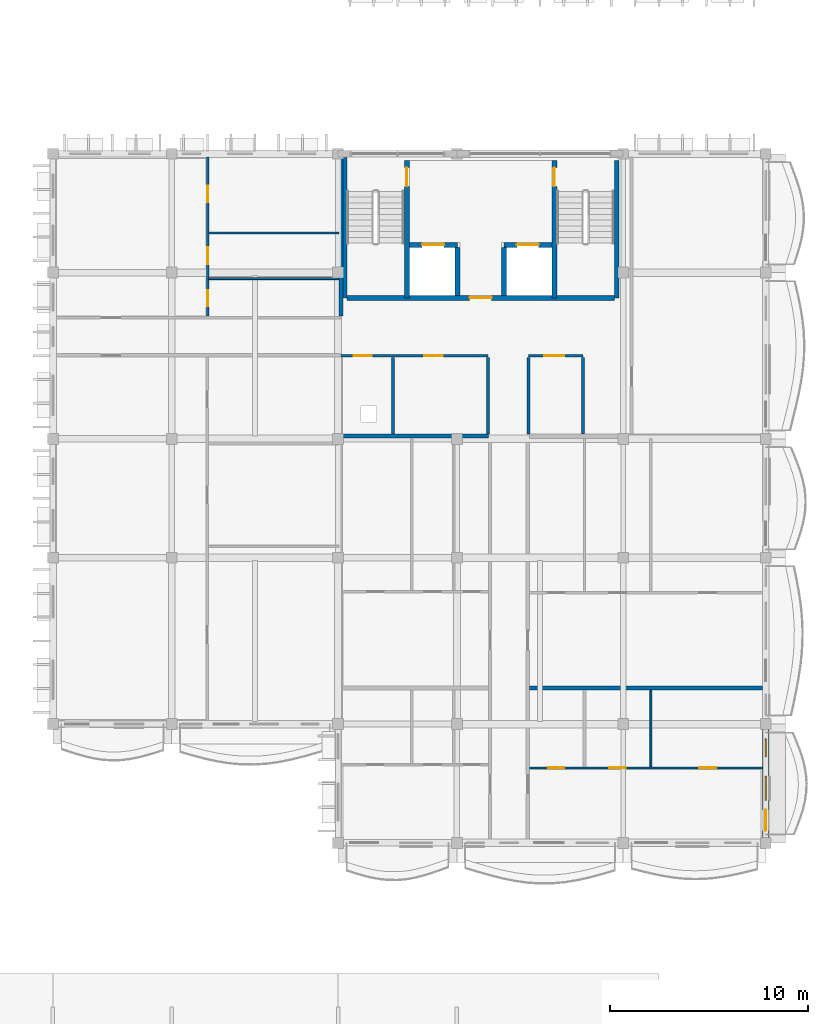
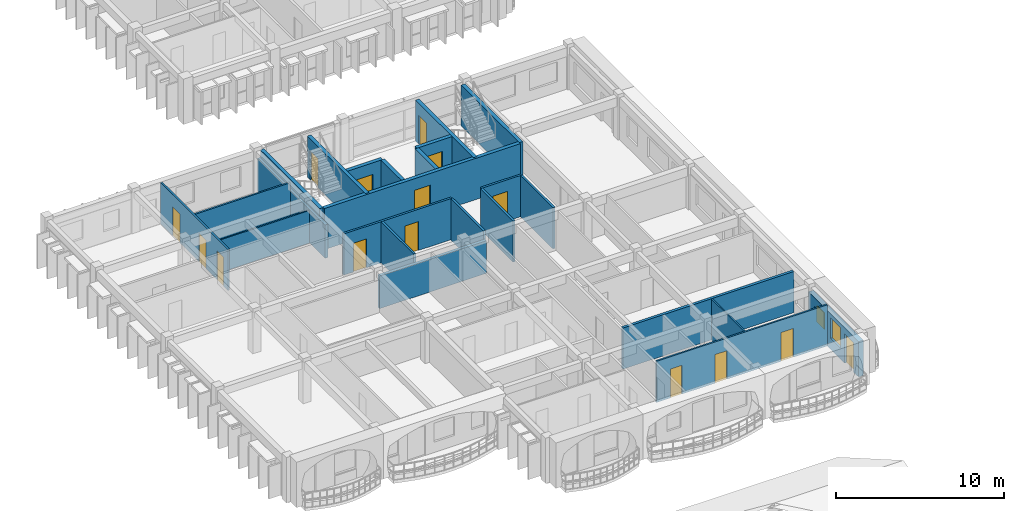
# One storey, part 60 of 101: 24 walls, 15 doors, 2 windows, 17 openings.
"""IFC4 building model written with IfcOpenShell, lengths in metres."""

from ifc_helpers import new_model, si_unit, direction, frame, frame_2d, origin, place, context, subcontext, project, spatial, rectangle, extrude, material, layer, layer_set, type_object, element, fill, save


model = new_model("IFC4")

# Units and contexts
model_context = context("Model", 3, precision=1e-05, world=origin(), true_north=direction((0.0, 1.0)))
body_context = subcontext(model_context, "Body", "Model", "MODEL_VIEW")
ifc_project = project(units=[si_unit("LENGTHUNIT", "METRE"), si_unit("AREAUNIT", "SQUARE_METRE"), si_unit("VOLUMEUNIT", "CUBIC_METRE"), si_unit("PLANEANGLEUNIT", "RADIAN"), si_unit("MASSUNIT", "GRAM", prefix="KILO"), si_unit("THERMODYNAMICTEMPERATUREUNIT", "KELVIN")], contexts=[model_context])

# Site, building, storey
site_placement = place(None, origin())
site = spatial("IfcSite", under=ifc_project, at=site_placement, CompositionType="ELEMENT")
building_placement = place(site_placement, origin())
building = spatial("IfcBuilding", under=site, at=building_placement, Name="Thalorik Housing Commons", CompositionType="ELEMENT")
storey_placement = place(building_placement, frame((0.0, 0.0, 8.10009765625)))
storey = spatial("IfcBuildingStorey", under=building, at=storey_placement, Name="L02", CompositionType="ELEMENT", Elevation=8.10009765625)

# Wall, opening, door
ifc_material_1 = material(Name="Concrete C40/50", Category="concrete")
ifc_layer_1 = layer(ifc_material_1, 0.25, Name="Concrete C40/50", Category="concrete")
ifc_layer_set_1 = layer_set([ifc_layer_1], Name="Concrete C40/50")
wall_type_1 = type_object("IfcWallType", Name="ARC-WAL-CORE-250", PredefinedType="SHEAR", material=ifc_layer_set_1)
wall_1_placement = place(storey_placement, frame((155.875, 71.64990234375, 0.0), z_axis=(0.0, 0.0, 1.0), x_axis=(0.0, -1.0, 0.0)))
wall_1 = element("IfcWall", 1, at=wall_1_placement, inside=storey, type_object=wall_type_1, Name="L02 Core D Stair 1 Shear Wall", PredefinedType="SHEAR", context=body_context, shape_type="SweptSolid", body=[
    extrude(rectangle(XDim=6.9248046875, YDim=0.25, at=frame_2d((3.46240234375, 0.0))), origin(), (0.0, 0.0, 1.0), 3.0),
])
opening_1_placement = place(wall_1_placement, frame((0.35009765625, 0.0, 0.0)))
opening_1 = element("IfcOpeningElement", 2, at=opening_1_placement, cuts=wall_1, Name="Opening ID-0369", PredefinedType="OPENING", context=body_context, shape_type="SweptSolid", body=[
    extrude(rectangle(XDim=0.949951171875, YDim=2.10009765625, at=frame_2d((0.47509765625, 1.050048828125))), frame((0.0, 0.135009765625, 0.0), z_axis=(0.0, -1.0, 0.0), x_axis=(1.0, 0.0, 0.0)), (0.0, 0.0, 1.0), 0.27001953125),
])
ifc_material_2 = material(Name="Steel S355", Category="steel")
door_type_1 = type_object("IfcDoorType", Name="ARC-DR-FD60-950", OperationType="NOTDEFINED", PredefinedType="DOOR", material=ifc_material_2)
door_1_placement = place(opening_1_placement, origin())
door_1 = element("IfcDoor", 3, at=door_1_placement, inside=storey, type_object=door_type_1, Name="L02 Stair ST-D1 Fire Door", OperationType="SINGLE_SWING_RIGHT", OverallHeight=2.10009765625, OverallWidth=0.949951171875, PredefinedType="DOOR", context=body_context, shape_type="SweptSolid", body=[
    extrude(rectangle(XDim=0.949951171875, YDim=2.10009765625, at=frame_2d((0.47509765625, 1.050048828125))), frame((0.0, 0.02490234375, 0.0), z_axis=(0.0, -1.0, 0.0), x_axis=(1.0, 0.0, 0.0)), (0.0, 0.0, 1.0), 0.050048828125),
])
fill(opening_1, door_1)

# Walls
wall_2_placement = place(storey_placement, frame((152.72509765625, 71.800048828125, 0.0), z_axis=(0.0, 0.0, 1.0), x_axis=(0.0, -1.0, 0.0)))
element("IfcWall", 4, at=wall_2_placement, inside=storey, type_object=wall_type_1, Name="L02 Core D Stair 1 Outer Shear Wall", PredefinedType="SHEAR", context=body_context, shape_type="SweptSolid", body=[
    extrude(rectangle(XDim=7.074951171875, YDim=0.25, at=frame_2d((3.53759765625, 0.0))), origin(), (0.0, 0.0, 1.0), 3.0),
])
wall_3_placement = place(storey_placement, frame((166.47509765625, 71.64990234375, 0.0), z_axis=(0.0, 0.0, 1.0), x_axis=(0.0, -1.0, 0.0)))
element("IfcWall", 5, at=wall_3_placement, inside=storey, type_object=wall_type_1, Name="L02 Core D Stair 2 Outer Shear Wall", PredefinedType="SHEAR", context=body_context, shape_type="SweptSolid", body=[
    extrude(rectangle(XDim=6.9248046875, YDim=0.25, at=frame_2d((3.46240234375, 0.0))), origin(), (0.0, 0.0, 1.0), 3.0),
])

# Wall, opening, door
wall_4_placement = place(storey_placement, frame((163.324951171875, 71.64990234375, 0.0), z_axis=(0.0, 0.0, 1.0), x_axis=(0.0, -1.0, 0.0)))
wall_4 = element("IfcWall", 6, at=wall_4_placement, inside=storey, type_object=wall_type_1, Name="L02 Core D Stair 2 Shear Wall", PredefinedType="SHEAR", context=body_context, shape_type="SweptSolid", body=[
    extrude(rectangle(XDim=6.9248046875, YDim=0.25, at=frame_2d((3.46240234375, 0.0))), origin(), (0.0, 0.0, 1.0), 3.0),
])
opening_2_placement = place(wall_4_placement, frame((0.35009765625, 0.0, 0.0)))
opening_2 = element("IfcOpeningElement", 7, at=opening_2_placement, cuts=wall_4, Name="Opening ID-0370", PredefinedType="OPENING", context=body_context, shape_type="SweptSolid", body=[
    extrude(rectangle(XDim=0.949951171875, YDim=2.10009765625, at=frame_2d((0.47509765625, 1.050048828125))), frame((0.0, 0.135009765625, 0.0), z_axis=(0.0, -1.0, 0.0), x_axis=(1.0, 0.0, 0.0)), (0.0, 0.0, 1.0), 0.27001953125),
])
door_2_placement = place(opening_2_placement, origin())
door_2 = element("IfcDoor", 8, at=door_2_placement, inside=storey, type_object=door_type_1, Name="L02 Stair ST-D2 Fire Door", OperationType="SINGLE_SWING_LEFT", OverallHeight=2.10009765625, OverallWidth=0.949951171875, PredefinedType="DOOR", context=body_context, shape_type="SweptSolid", body=[
    extrude(rectangle(XDim=0.949951171875, YDim=2.10009765625, at=frame_2d((0.47509765625, 1.050048828125))), frame((0.0, 0.02490234375, 0.0), z_axis=(0.0, -1.0, 0.0), x_axis=(1.0, 0.0, 0.0)), (0.0, 0.0, 1.0), 0.050048828125),
])
fill(opening_2, door_2)

wall_5_placement = place(storey_placement, frame((156.0, 67.39990234375, 0.0), z_axis=(0.0, 0.0, 1.0), x_axis=(1.0, 0.0, 0.0)))
wall_5 = element("IfcWall", 9, at=wall_5_placement, inside=storey, type_object=wall_type_1, Name="L02 Lift LP-D1 Front Shaft Wall", PredefinedType="SHEAR", context=body_context, shape_type="SweptSolid", body=[
    extrude(rectangle(XDim=2.425048828125, YDim=0.25, at=frame_2d((1.21240234375, 0.0))), origin(), (0.0, 0.0, 1.0), 3.0),
])
opening_3_placement = place(wall_5_placement, frame((0.64990234375, 0.0, 0.0)))
opening_3 = element("IfcOpeningElement", 10, at=opening_3_placement, cuts=wall_5, Name="Opening LD-LP-D1-L02", PredefinedType="OPENING", context=body_context, shape_type="SweptSolid", body=[
    extrude(rectangle(XDim=1.10009765625, YDim=2.14990234375, at=frame_2d((0.550048828125, 1.074951171875))), frame((0.0, 0.135009765625, 0.0), z_axis=(0.0, -1.0, 0.0), x_axis=(1.0, 0.0, 0.0)), (0.0, 0.0, 1.0), 0.27001953125),
])
door_type_2 = type_object("IfcDoorType", Name="ARC-DR-LIFT-1100", OperationType="NOTDEFINED", PredefinedType="DOOR", material=ifc_material_2)
door_3_placement = place(opening_3_placement, origin())
door_3 = element("IfcDoor", 11, at=door_3_placement, inside=storey, type_object=door_type_2, Name="L02 Lift LP-D1 Landing Door", OperationType="SLIDING_TO_LEFT", OverallHeight=2.14990234375, OverallWidth=1.10009765625, PredefinedType="DOOR", context=body_context, shape_type="SweptSolid", body=[
    extrude(rectangle(XDim=1.10009765625, YDim=2.14990234375, at=frame_2d((0.550048828125, 1.074951171875))), frame((0.0, 0.02490234375, 0.0), z_axis=(0.0, -1.0, 0.0), x_axis=(1.0, 0.0, 0.0)), (0.0, 0.0, 1.0), 0.050048828125),
])
fill(opening_3, door_3)

wall_6_placement = place(storey_placement, frame((160.77490234375, 67.39990234375, 0.0), z_axis=(0.0, 0.0, 1.0), x_axis=(1.0, 0.0, 0.0)))
wall_6 = element("IfcWall", 12, at=wall_6_placement, inside=storey, type_object=wall_type_1, Name="L02 Lift LP-D2 Front Shaft Wall", PredefinedType="SHEAR", context=body_context, shape_type="SweptSolid", body=[
    extrude(rectangle(XDim=2.425048828125, YDim=0.25, at=frame_2d((1.21240234375, 0.0))), origin(), (0.0, 0.0, 1.0), 3.0),
])
opening_4_placement = place(wall_6_placement, frame((0.64990234375, 0.0, 0.0)))
opening_4 = element("IfcOpeningElement", 13, at=opening_4_placement, cuts=wall_6, Name="Opening LD-LP-D2-L02", PredefinedType="OPENING", context=body_context, shape_type="SweptSolid", body=[
    extrude(rectangle(XDim=1.10009765625, YDim=2.14990234375, at=frame_2d((0.550048828125, 1.074951171875))), frame((0.0, 0.135009765625, 0.0), z_axis=(0.0, -1.0, 0.0), x_axis=(1.0, 0.0, 0.0)), (0.0, 0.0, 1.0), 0.27001953125),
])
door_4_placement = place(opening_4_placement, origin())
door_4 = element("IfcDoor", 14, at=door_4_placement, inside=storey, type_object=door_type_2, Name="L02 Lift LP-D2 Landing Door", OperationType="SLIDING_TO_LEFT", OverallHeight=2.14990234375, OverallWidth=1.10009765625, PredefinedType="DOOR", context=body_context, shape_type="SweptSolid", body=[
    extrude(rectangle(XDim=1.10009765625, YDim=2.14990234375, at=frame_2d((0.550048828125, 1.074951171875))), frame((0.0, 0.02490234375, 0.0), z_axis=(0.0, -1.0, 0.0), x_axis=(1.0, 0.0, 0.0)), (0.0, 0.0, 1.0), 0.050048828125),
])
fill(opening_4, door_4)

# Walls
for number, where, z_axis, x_axis, name in (
    (15, (158.425048828125, 67.27490234375, 0.0), (0.0, 0.0, 1.0), (0.0, -1.0, 0.0), "L02 Lift 1 Cheek Wall"),
    (16, (160.77490234375, 67.27490234375, 0.0), (0.0, 0.0, 1.0), (0.0, -1.0, 0.0), "L02 Lift 2 Cheek Wall"),
):
    element("IfcWall", number, at=place(storey_placement, frame(where, z_axis=z_axis, x_axis=x_axis)), inside=storey, type_object=wall_type_1, Name=name, PredefinedType="SHEAR", context=body_context, shape_type="SweptSolid", body=[
        extrude(rectangle(XDim=2.4248046875, YDim=0.25, at=frame_2d((1.21240234375, 0.0))), origin(), (0.0, 0.0, 1.0), 3.0),
    ])

# Wall, opening, door
wall_7_placement = place(storey_placement, frame((152.85009765625, 64.72509765625, 0.0), z_axis=(0.0, 0.0, 1.0), x_axis=(1.0, 0.0, 0.0)))
wall_7 = element("IfcWall", 17, at=wall_7_placement, inside=storey, type_object=wall_type_1, Name="L02 Core D Spine Shear Wall", PredefinedType="SHEAR", context=body_context, shape_type="SweptSolid", body=[
    extrude(rectangle(XDim=13.5, YDim=0.25, at=frame_2d((6.75, 0.0))), origin(), (0.0, 0.0, 1.0), 3.0),
])
opening_5_placement = place(wall_7_placement, frame((6.199951171875, 0.0, 0.0)))
opening_5 = element("IfcOpeningElement", 18, at=opening_5_placement, cuts=wall_7, Name="Opening ID-0373", PredefinedType="OPENING", context=body_context, shape_type="SweptSolid", body=[
    extrude(rectangle(XDim=1.10009765625, YDim=2.14990234375, at=frame_2d((0.550048828125, 1.074951171875))), frame((0.0, 0.135009765625, 0.0), z_axis=(0.0, -1.0, 0.0), x_axis=(1.0, 0.0, 0.0)), (0.0, 0.0, 1.0), 0.27001953125),
])
door_type_3 = type_object("IfcDoorType", Name="ARC-DR-FD60-1100", OperationType="NOTDEFINED", PredefinedType="DOOR", material=ifc_material_2)
door_5_placement = place(opening_5_placement, origin())
door_5 = element("IfcDoor", 19, at=door_5_placement, inside=storey, type_object=door_type_3, Name="L02 Core D Lobby Fire Door", OperationType="SINGLE_SWING_RIGHT", OverallHeight=2.14990234375, OverallWidth=1.10009765625, PredefinedType="DOOR", context=body_context, shape_type="SweptSolid", body=[
    extrude(rectangle(XDim=1.10009765625, YDim=2.14990234375, at=frame_2d((0.550048828125, 1.074951171875))), frame((0.0, 0.02490234375, 0.0), z_axis=(0.0, -1.0, 0.0), x_axis=(1.0, 0.0, 0.0)), (0.0, 0.0, 1.0), 0.050048828125),
])
fill(opening_5, door_5)

# Wall, openings, door, windows
ifc_material_3 = material(Name="White precast concrete C40/50", Category="concrete")
ifc_layer_2 = layer(ifc_material_3, 0.3349609375, Name="White precast concrete C40/50", Category="concrete")
ifc_layer_set_2 = layer_set([ifc_layer_2], Name="White precast concrete C40/50")
wall_type_2 = type_object("IfcWallType", Name="ARC-WAL-EXT-335", PredefinedType="STANDARD", material=ifc_layer_set_2)
wall_8_placement = place(storey_placement, frame((174.0, 37.199951171875, 0.0), z_axis=(0.0, 0.0, 1.0), x_axis=(0.0, 1.0, 0.0)))
wall_8 = element("IfcWall", 20, at=wall_8_placement, inside=storey, type_object=wall_type_2, Name="L02 Exterior Wall WAL-EXT-L02-D-1157", PredefinedType="STANDARD", context=body_context, shape_type="SweptSolid", body=[
    extrude(rectangle(XDim=6.0, YDim=0.3349609375, at=frame_2d((3.0, 0.0))), origin(), (0.0, 0.0, 1.0), 2.574951171875),
])
opening_6_placement = place(wall_8_placement, frame((0.6201171875, 0.0, 0.0)))
opening_6 = element("IfcOpeningElement", 21, at=opening_6_placement, cuts=wall_8, Name="Opening ED-0381", PredefinedType="OPENING", context=body_context, shape_type="SweptSolid", body=[
    extrude(rectangle(XDim=1.050048828125, YDim=2.14990234375, at=frame_2d((0.52490234375, 1.074951171875))), frame((0.0, 0.177490234375, 0.0), z_axis=(0.0, -1.0, 0.0), x_axis=(1.0, 0.0, 0.0)), (0.0, 0.0, 1.0), 0.35498046875),
])
opening_7_placement = place(wall_8_placement, frame((2.15234375, 0.0, 0.780029296875)))
opening_7 = element("IfcOpeningElement", 22, at=opening_7_placement, cuts=wall_8, Name="Opening W-05", PredefinedType="OPENING", context=body_context, shape_type="SweptSolid", body=[
    extrude(rectangle(XDim=1.199951171875, YDim=1.5, at=frame_2d((0.60009765625, 0.75))), frame((0.0, 0.177490234375, 0.0), z_axis=(0.0, -1.0, 0.0), x_axis=(1.0, 0.0, 0.0)), (0.0, 0.0, 1.0), 0.35498046875),
])
opening_8_placement = place(wall_8_placement, frame((4.347412109375, 0.0, 0.780029296875)))
opening_8 = element("IfcOpeningElement", 23, at=opening_8_placement, cuts=wall_8, Name="Opening W-01", PredefinedType="OPENING", context=body_context, shape_type="SweptSolid", body=[
    extrude(rectangle(XDim=0.89990234375, YDim=1.199951171875, at=frame_2d((0.449951171875, 0.60009765625))), frame((0.0, 0.177490234375, 0.0), z_axis=(0.0, -1.0, 0.0), x_axis=(1.0, 0.0, 0.0)), (0.0, 0.0, 1.0), 0.35498046875),
])
ifc_material_4 = material(Name="Anodised aluminium and laminated safety glass", Category="aluminium")
door_type_4 = type_object("IfcDoorType", Name="ARC-DR-BAL-1050", OperationType="NOTDEFINED", PredefinedType="DOOR", material=ifc_material_4)
door_6_placement = place(opening_6_placement, frame((1.050048828125, 0.0, 0.0), z_axis=(0.0, 0.0, 1.0), x_axis=(-1.0, 0.0, 0.0)))
door_6 = element("IfcDoor", 24, at=door_6_placement, inside=storey, type_object=door_type_4, Name="L02 Block D Balcony Glazed Door", OperationType="SINGLE_SWING_RIGHT", OverallHeight=2.14990234375, OverallWidth=1.050048828125, PredefinedType="DOOR", context=body_context, shape_type="SweptSolid", body=[
    extrude(rectangle(XDim=1.050048828125, YDim=2.14990234375, at=frame_2d((0.52490234375, 1.074951171875))), frame((0.0, 0.02490234375, 0.0), z_axis=(0.0, -1.0, 0.0), x_axis=(1.0, 0.0, 0.0)), (0.0, 0.0, 1.0), 0.050048828125),
])
fill(opening_6, door_6)
ifc_material_5 = material(Name="Anodised aluminium and solar-control low-E glass", Category="aluminium")
window_type_1 = type_object("IfcWindowType", Name="ARC-WIN-01", PartitioningType="SINGLE_PANEL", PredefinedType="WINDOW", material=ifc_material_5)
window_1_placement = place(opening_8_placement, origin())
window_1 = element("IfcWindow", 25, at=window_1_placement, inside=storey, type_object=window_type_1, Name="L02 Facade Window 2123", OverallHeight=1.199951171875, OverallWidth=0.89990234375, PartitioningType="SINGLE_PANEL", PredefinedType="WINDOW", context=body_context, shape_type="SweptSolid", body=[
    extrude(rectangle(XDim=0.89990234375, YDim=1.199951171875, at=frame_2d((0.449951171875, 0.60009765625))), frame((0.0, 0.030029296875, 0.0), z_axis=(0.0, -1.0, 0.0), x_axis=(1.0, 0.0, 0.0)), (0.0, 0.0, 1.0), 0.06005859375),
])
fill(opening_8, window_1)
window_type_2 = type_object("IfcWindowType", Name="ARC-WIN-05", PartitioningType="SINGLE_PANEL", PredefinedType="WINDOW", material=ifc_material_5)
window_2_placement = place(opening_7_placement, origin())
window_2 = element("IfcWindow", 26, at=window_2_placement, inside=storey, type_object=window_type_2, Name="L02 Facade Window 2122", OverallHeight=1.5, OverallWidth=1.199951171875, PartitioningType="SINGLE_PANEL", PredefinedType="WINDOW", context=body_context, shape_type="SweptSolid", body=[
    extrude(rectangle(XDim=1.199951171875, YDim=1.5, at=frame_2d((0.60009765625, 0.75))), frame((0.0, 0.030029296875, 0.0), z_axis=(0.0, -1.0, 0.0), x_axis=(1.0, 0.0, 0.0)), (0.0, 0.0, 1.0), 0.06005859375),
])
fill(opening_7, window_2)

# Walls
ifc_material_6 = material(Name="Gypsum light stud partition", Category="masonry")
ifc_layer_3 = layer(ifc_material_6, 0.10009765625, Name="Gypsum light stud partition", Category="masonry")
ifc_layer_set_3 = layer_set([ifc_layer_3], Name="Gypsum light stud partition")
wall_type_3 = type_object("IfcWallType", Name="ARC-WAL-PART-100", PredefinedType="PARTITIONING", material=ifc_layer_set_3)
wall_9_placement = place(storey_placement, frame((168.19921875, 41.044189453125, 0.0), z_axis=(0.0, 0.0, 1.0), x_axis=(0.0, 1.0, 0.0)))
element("IfcWall", 27, at=wall_9_placement, inside=storey, type_object=wall_type_3, Name="L02 Unit 1B Bedroom Partition", PredefinedType="PARTITIONING", context=body_context, shape_type="SweptSolid", body=[
    extrude(rectangle(XDim=3.88134765625, YDim=0.10009765625, at=frame_2d((1.940673828125, 0.0))), origin(), (0.0, 0.0, 1.0), 3.0),
])
wall_10_placement = place(storey_placement, frame((145.875, 65.69287109375, 0.0), z_axis=(0.0, 0.0, 1.0), x_axis=(1.0, 0.0, 0.0)))
element("IfcWall", 28, at=wall_10_placement, inside=storey, type_object=wall_type_3, Name="L02 Unit 1B Wet Wall", PredefinedType="PARTITIONING", context=body_context, shape_type="SweptSolid", body=[
    extrude(rectangle(XDim=6.56298828125, YDim=0.10009765625, at=frame_2d((3.281494140625, 0.0))), origin(), (0.0, 0.0, 1.0), 2.375),
])

# Wall, openings, doors
ifc_material_7 = material(Name="Gypsum moisture-resistant partition", Category="masonry")
ifc_layer_4 = layer(ifc_material_7, 0.114990234375, Name="Gypsum moisture-resistant partition", Category="masonry")
ifc_layer_set_4 = layer_set([ifc_layer_4], Name="Gypsum moisture-resistant partition")
wall_type_4 = type_object("IfcWallType", Name="ARC-WAL-PART-115", PredefinedType="PARTITIONING", material=ifc_layer_set_4)
wall_11_placement = place(storey_placement, frame((162.064453125, 40.98486328125, 0.0), z_axis=(0.0, 0.0, 1.0), x_axis=(1.0, 0.0, 0.0)))
wall_11 = element("IfcWall", 29, at=wall_11_placement, inside=storey, type_object=wall_type_4, Name="L02 Unit 1B Spine Partition", PredefinedType="PARTITIONING", context=body_context, shape_type="SweptSolid", body=[
    extrude(rectangle(XDim=11.76611328125, YDim=0.114990234375, at=frame_2d((5.883056640625, 0.0))), origin(), (0.0, 0.0, 1.0), 3.0),
])
opening_9_placement = place(wall_11_placement, frame((0.95068359375, 0.0, 0.0)))
opening_9 = element("IfcOpeningElement", 30, at=opening_9_placement, cuts=wall_11, Name="Opening ID-2003", PredefinedType="OPENING", context=body_context, shape_type="SweptSolid", body=[
    extrude(rectangle(XDim=0.800048828125, YDim=2.10009765625, at=frame_2d((0.39990234375, 1.050048828125))), frame((0.0, 0.0673828125, 0.0), z_axis=(0.0, -1.0, 0.0), x_axis=(1.0, 0.0, 0.0)), (0.0, 0.0, 1.0), 0.135009765625),
])
opening_10_placement = place(wall_11_placement, frame((4.035400390625, 0.0, 0.0)))
opening_10 = element("IfcOpeningElement", 31, at=opening_10_placement, cuts=wall_11, Name="Opening ID-2004", PredefinedType="OPENING", context=body_context, shape_type="SweptSolid", body=[
    extrude(rectangle(XDim=0.820068359375, YDim=2.080078125, at=frame_2d((0.41015625, 1.0400390625))), frame((0.0, 0.0673828125, 0.0), z_axis=(0.0, -1.0, 0.0), x_axis=(1.0, 0.0, 0.0)), (0.0, 0.0, 1.0), 0.135009765625),
])
opening_11_placement = place(wall_11_placement, frame((8.580078125, 0.0, 0.0)))
opening_11 = element("IfcOpeningElement", 32, at=opening_11_placement, cuts=wall_11, Name="Opening ID-2005", PredefinedType="OPENING", context=body_context, shape_type="SweptSolid", body=[
    extrude(rectangle(XDim=0.85009765625, YDim=2.10009765625, at=frame_2d((0.425048828125, 1.050048828125))), frame((0.0, 0.0673828125, 0.0), z_axis=(0.0, -1.0, 0.0), x_axis=(1.0, 0.0, 0.0)), (0.0, 0.0, 1.0), 0.135009765625),
])
ifc_material_8 = material(Name="Moisture-resistant timber", Category="wood")
door_type_5 = type_object("IfcDoorType", Name="ARC-DR-INT-800", OperationType="NOTDEFINED", PredefinedType="DOOR", material=ifc_material_8)
door_7_placement = place(opening_9_placement, origin())
door_7 = element("IfcDoor", 33, at=door_7_placement, inside=storey, type_object=door_type_5, Name="L02 Flat Bathroom Door", OperationType="SINGLE_SWING_RIGHT", OverallHeight=2.10009765625, OverallWidth=0.800048828125, PredefinedType="DOOR", context=body_context, shape_type="SweptSolid", body=[
    extrude(rectangle(XDim=0.800048828125, YDim=2.10009765625, at=frame_2d((0.39990234375, 1.050048828125))), frame((0.0, 0.02490234375, 0.0), z_axis=(0.0, -1.0, 0.0), x_axis=(1.0, 0.0, 0.0)), (0.0, 0.0, 1.0), 0.050048828125),
])
fill(opening_9, door_7)
ifc_material_9 = material(Name="Engineered oak timber", Category="wood")
door_type_6 = type_object("IfcDoorType", Name="ARC-DR-INT-820", OperationType="NOTDEFINED", PredefinedType="DOOR", material=ifc_material_9)
door_8_placement = place(opening_10_placement, origin())
door_8 = element("IfcDoor", 34, at=door_8_placement, inside=storey, type_object=door_type_6, Name="L02 Galley Kitchen Door", OperationType="SINGLE_SWING_LEFT", OverallHeight=2.080078125, OverallWidth=0.820068359375, PredefinedType="DOOR", context=body_context, shape_type="SweptSolid", body=[
    extrude(rectangle(XDim=0.820068359375, YDim=2.080078125, at=frame_2d((0.41015625, 1.0400390625))), frame((0.0, 0.02490234375, 0.0), z_axis=(0.0, -1.0, 0.0), x_axis=(1.0, 0.0, 0.0)), (0.0, 0.0, 1.0), 0.050048828125),
])
fill(opening_10, door_8)
door_type_7 = type_object("IfcDoorType", Name="ARC-DR-INT-850", OperationType="NOTDEFINED", PredefinedType="DOOR", material=ifc_material_9)
door_9_placement = place(opening_11_placement, origin())
door_9 = element("IfcDoor", 35, at=door_9_placement, inside=storey, type_object=door_type_7, Name="L02 Single Bedroom Door", OperationType="SINGLE_SWING_RIGHT", OverallHeight=2.10009765625, OverallWidth=0.85009765625, PredefinedType="DOOR", context=body_context, shape_type="SweptSolid", body=[
    extrude(rectangle(XDim=0.85009765625, YDim=2.10009765625, at=frame_2d((0.425048828125, 1.050048828125))), frame((0.0, 0.02490234375, 0.0), z_axis=(0.0, -1.0, 0.0), x_axis=(1.0, 0.0, 0.0)), (0.0, 0.0, 1.0), 0.050048828125),
])
fill(opening_11, door_9)

# Wall
wall_12_placement = place(storey_placement, frame((145.875, 67.994384765625, 0.0), z_axis=(0.0, 0.0, 1.0), x_axis=(1.0, 0.0, 0.0)))
element("IfcWall", 36, at=wall_12_placement, inside=storey, type_object=wall_type_4, Name="L02 Unit 1B Bedroom Partition", PredefinedType="PARTITIONING", context=body_context, shape_type="SweptSolid", body=[
    extrude(rectangle(XDim=6.56298828125, YDim=0.114990234375, at=frame_2d((3.281494140625, 0.0))), origin(), (0.0, 0.0, 1.0), 3.0),
])

# Wall, openings, doors
ifc_material_10 = material(Name="Gypsum acoustic stud partition", Category="masonry")
ifc_layer_5 = layer(ifc_material_10, 0.125, Name="Gypsum acoustic stud partition", Category="masonry")
ifc_layer_set_5 = layer_set([ifc_layer_5], Name="Gypsum acoustic stud partition")
wall_type_5 = type_object("IfcWallType", Name="ARC-WAL-PART-125", PredefinedType="PARTITIONING", material=ifc_layer_set_5)
wall_13_placement = place(storey_placement, frame((145.810302734375, 63.797119140625, 0.0), z_axis=(0.0, 0.0, 1.0), x_axis=(0.0, 1.0, 0.0)))
wall_13 = element("IfcWall", 37, at=wall_13_placement, inside=storey, type_object=wall_type_5, Name="L02 Unit 1B Spine Partition", PredefinedType="PARTITIONING", context=body_context, shape_type="SweptSolid", body=[
    extrude(rectangle(XDim=8.033447265625, YDim=0.125, at=frame_2d((4.0166015625, 0.0))), origin(), (0.0, 0.0, 1.0), 3.0),
])
opening_12_placement = place(wall_13_placement, frame((0.509521484375, 0.0, 0.0)))
opening_12 = element("IfcOpeningElement", 38, at=opening_12_placement, cuts=wall_13, Name="Opening ID-2020", PredefinedType="OPENING", context=body_context, shape_type="SweptSolid", body=[
    extrude(rectangle(XDim=0.800048828125, YDim=2.10009765625, at=frame_2d((0.39990234375, 1.050048828125))), frame((0.0, 0.072509765625, 0.0), z_axis=(0.0, -1.0, 0.0), x_axis=(1.0, 0.0, 0.0)), (0.0, 0.0, 1.0), 0.14501953125),
])
opening_13_placement = place(wall_13_placement, frame((2.62158203125, 0.0, 0.0)))
opening_13 = element("IfcOpeningElement", 39, at=opening_13_placement, cuts=wall_13, Name="Opening ID-2021", PredefinedType="OPENING", context=body_context, shape_type="SweptSolid", body=[
    extrude(rectangle(XDim=0.85009765625, YDim=2.10009765625, at=frame_2d((0.425048828125, 1.050048828125))), frame((0.0, 0.072509765625, 0.0), z_axis=(0.0, -1.0, 0.0), x_axis=(1.0, 0.0, 0.0)), (0.0, 0.0, 1.0), 0.14501953125),
])
opening_14_placement = place(wall_13_placement, frame((5.7451171875, 0.0, 0.0)))
opening_14 = element("IfcOpeningElement", 40, at=opening_14_placement, cuts=wall_13, Name="Opening ID-2022", PredefinedType="OPENING", context=body_context, shape_type="SweptSolid", body=[
    extrude(rectangle(XDim=0.85009765625, YDim=2.10009765625, at=frame_2d((0.425048828125, 1.050048828125))), frame((0.0, 0.072509765625, 0.0), z_axis=(0.0, -1.0, 0.0), x_axis=(1.0, 0.0, 0.0)), (0.0, 0.0, 1.0), 0.14501953125),
])
door_10_placement = place(opening_12_placement, origin())
door_10 = element("IfcDoor", 41, at=door_10_placement, inside=storey, type_object=door_type_5, Name="L02 Flat Bathroom Door", OperationType="SINGLE_SWING_LEFT", OverallHeight=2.10009765625, OverallWidth=0.800048828125, PredefinedType="DOOR", context=body_context, shape_type="SweptSolid", body=[
    extrude(rectangle(XDim=0.800048828125, YDim=2.10009765625, at=frame_2d((0.39990234375, 1.050048828125))), frame((0.0, 0.02490234375, 0.0), z_axis=(0.0, -1.0, 0.0), x_axis=(1.0, 0.0, 0.0)), (0.0, 0.0, 1.0), 0.050048828125),
])
fill(opening_12, door_10)
door_11_placement = place(opening_13_placement, origin())
door_11 = element("IfcDoor", 42, at=door_11_placement, inside=storey, type_object=door_type_7, Name="L02 Galley Kitchen Door", OperationType="SINGLE_SWING_RIGHT", OverallHeight=2.10009765625, OverallWidth=0.85009765625, PredefinedType="DOOR", context=body_context, shape_type="SweptSolid", body=[
    extrude(rectangle(XDim=0.85009765625, YDim=2.10009765625, at=frame_2d((0.425048828125, 1.050048828125))), frame((0.0, 0.02490234375, 0.0), z_axis=(0.0, -1.0, 0.0), x_axis=(1.0, 0.0, 0.0)), (0.0, 0.0, 1.0), 0.050048828125),
])
fill(opening_13, door_11)
door_12_placement = place(opening_14_placement, origin())
door_12 = element("IfcDoor", 43, at=door_12_placement, inside=storey, type_object=door_type_7, Name="L02 Single Bedroom Door", OperationType="SINGLE_SWING_LEFT", OverallHeight=2.10009765625, OverallWidth=0.85009765625, PredefinedType="DOOR", context=body_context, shape_type="SweptSolid", body=[
    extrude(rectangle(XDim=0.85009765625, YDim=2.10009765625, at=frame_2d((0.425048828125, 1.050048828125))), frame((0.0, 0.02490234375, 0.0), z_axis=(0.0, -1.0, 0.0), x_axis=(1.0, 0.0, 0.0)), (0.0, 0.0, 1.0), 0.050048828125),
])
fill(opening_14, door_12)

# Walls
ifc_material_11 = material(Name="Ceramic masonry partition wall", Category="masonry")
ifc_layer_6 = layer(ifc_material_11, 0.14794921875, Name="Ceramic masonry partition wall", Category="masonry")
ifc_layer_set_6 = layer_set([ifc_layer_6], Name="Ceramic masonry partition wall")
wall_type_6 = type_object("IfcWallType", Name="ARC-WAL-PART-150", PredefinedType="PARTITIONING", material=ifc_layer_set_6)
for number, where, z_axis, x_axis, name in (
    (44, (155.175048828125, 61.72412109375, 0.0), (0.0, 0.0, 1.0), (0.0, -1.0, 0.0), "Riser Wall"),
    (45, (159.97509765625, 61.72412109375, 0.0), (0.0, 0.0, 1.0), (0.0, -1.0, 0.0), "Core Stem West Cheek Wall"),
):
    element("IfcWall", number, at=place(storey_placement, frame(where, z_axis=z_axis, x_axis=x_axis)), inside=storey, type_object=wall_type_6, Name=name, PredefinedType="PARTITIONING", context=body_context, shape_type="SweptSolid", body=[
        extrude(rectangle(XDim=3.882080078125, YDim=0.14794921875, at=frame_2d((1.94091796875, 0.0))), origin(), (0.0, 0.0, 1.0), 3.0),
    ])
for number, where, z_axis, x_axis, name in (
    (46, (162.02490234375, 61.72412109375, 0.0), (0.0, 0.0, 1.0), (0.0, -1.0, 0.0), "Core Stem East Cheek Wall"),
    (47, (164.780029296875, 61.72412109375, 0.0), (0.0, 0.0, 1.0), (0.0, -1.0, 0.0), "Core East Enclosing Wall"),
):
    element("IfcWall", number, at=place(storey_placement, frame(where, z_axis=z_axis, x_axis=x_axis)), inside=storey, type_object=wall_type_6, Name=name, PredefinedType="PARTITIONING", context=body_context, shape_type="SweptSolid", body=[
        extrude(rectangle(XDim=3.8720703125, YDim=0.14794921875, at=frame_2d((1.93603515625, 0.0))), origin(), (0.0, 0.0, 1.0), 3.0),
    ])

# Wall, openings, doors
wall_14_placement = place(storey_placement, frame((152.5400390625, 61.800048828125, 0.0), z_axis=(0.0, 0.0, 1.0), x_axis=(1.0, 0.0, 0.0)))
wall_14 = element("IfcWall", 48, at=wall_14_placement, inside=storey, type_object=wall_type_6, Name="L02 Core D West Corridor Partition", PredefinedType="PARTITIONING", context=body_context, shape_type="SweptSolid", body=[
    extrude(rectangle(XDim=7.43505859375, YDim=0.14794921875, at=frame_2d((3.717529296875, 0.0))), origin(), (0.0, 0.0, 1.0), 3.0),
])
opening_15_placement = place(wall_14_placement, frame((0.64990234375, 0.0, 0.0)))
opening_15 = element("IfcOpeningElement", 49, at=opening_15_placement, cuts=wall_14, Name="Opening ID-0374", PredefinedType="OPENING", context=body_context, shape_type="SweptSolid", body=[
    extrude(rectangle(XDim=0.89990234375, YDim=2.10009765625, at=frame_2d((0.449951171875, 1.050048828125))), frame((0.0, 0.083984375, 0.0), z_axis=(0.0, -1.0, 0.0), x_axis=(1.0, 0.0, 0.0)), (0.0, 0.0, 1.0), 0.16796875),
])
opening_16_placement = place(wall_14_placement, frame((4.199951171875, 0.0, 0.0)))
opening_16 = element("IfcOpeningElement", 50, at=opening_16_placement, cuts=wall_14, Name="Opening ID-0375", PredefinedType="OPENING", context=body_context, shape_type="SweptSolid", body=[
    extrude(rectangle(XDim=0.949951171875, YDim=2.10009765625, at=frame_2d((0.47509765625, 1.050048828125))), frame((0.0, 0.083984375, 0.0), z_axis=(0.0, -1.0, 0.0), x_axis=(1.0, 0.0, 0.0)), (0.0, 0.0, 1.0), 0.16796875),
])
door_type_8 = type_object("IfcDoorType", Name="ARC-DR-FD60-900", OperationType="NOTDEFINED", PredefinedType="DOOR", material=ifc_material_2)
door_13_placement = place(opening_15_placement, origin())
door_13 = element("IfcDoor", 51, at=door_13_placement, inside=storey, type_object=door_type_8, Name="Electrical Riser Door", OperationType="SINGLE_SWING_LEFT", OverallHeight=2.10009765625, OverallWidth=0.89990234375, PredefinedType="DOOR", context=body_context, shape_type="SweptSolid", body=[
    extrude(rectangle(XDim=0.89990234375, YDim=2.10009765625, at=frame_2d((0.449951171875, 1.050048828125))), frame((0.0, 0.02490234375, 0.0), z_axis=(0.0, -1.0, 0.0), x_axis=(1.0, 0.0, 0.0)), (0.0, 0.0, 1.0), 0.050048828125),
])
fill(opening_15, door_13)
door_type_9 = type_object("IfcDoorType", Name="ARC-DR-INT-950", OperationType="NOTDEFINED", PredefinedType="DOOR", material=ifc_material_9)
door_14_placement = place(opening_16_placement, origin())
door_14 = element("IfcDoor", 52, at=door_14_placement, inside=storey, type_object=door_type_9, Name="Accessible Bathroom Door", OperationType="SINGLE_SWING_RIGHT", OverallHeight=2.10009765625, OverallWidth=0.949951171875, PredefinedType="DOOR", context=body_context, shape_type="SweptSolid", body=[
    extrude(rectangle(XDim=0.949951171875, YDim=2.10009765625, at=frame_2d((0.47509765625, 1.050048828125))), frame((0.0, 0.02490234375, 0.0), z_axis=(0.0, -1.0, 0.0), x_axis=(1.0, 0.0, 0.0)), (0.0, 0.0, 1.0), 0.050048828125),
])
fill(opening_16, door_14)

# Wall, opening, door
wall_15_placement = place(storey_placement, frame((162.02490234375, 61.800048828125, 0.0), z_axis=(0.0, 0.0, 1.0), x_axis=(1.0, 0.0, 0.0)))
wall_15 = element("IfcWall", 53, at=wall_15_placement, inside=storey, type_object=wall_type_6, Name="L02 Core D East Corridor Partition", PredefinedType="PARTITIONING", context=body_context, shape_type="SweptSolid", body=[
    extrude(rectangle(XDim=2.755126953125, YDim=0.14794921875, at=frame_2d((1.37744140625, 0.0))), origin(), (0.0, 0.0, 1.0), 3.0),
])
opening_17_placement = place(wall_15_placement, frame((0.800048828125, 0.0, 0.0)))
opening_17 = element("IfcOpeningElement", 54, at=opening_17_placement, cuts=wall_15, Name="Opening ID-0376", PredefinedType="OPENING", context=body_context, shape_type="SweptSolid", body=[
    extrude(rectangle(XDim=1.0, YDim=2.14990234375, at=frame_2d((0.5, 1.074951171875))), frame((0.0, 0.083984375, 0.0), z_axis=(0.0, -1.0, 0.0), x_axis=(1.0, 0.0, 0.0)), (0.0, 0.0, 1.0), 0.16796875),
])
door_type_10 = type_object("IfcDoorType", Name="ARC-DR-FD60-1000", OperationType="NOTDEFINED", PredefinedType="DOOR", material=ifc_material_2)
door_15_placement = place(opening_17_placement, origin())
door_15 = element("IfcDoor", 55, at=door_15_placement, inside=storey, type_object=door_type_10, Name="Core Hub Room Door", OperationType="SINGLE_SWING_LEFT", OverallHeight=2.14990234375, OverallWidth=1.0, PredefinedType="DOOR", context=body_context, shape_type="SweptSolid", body=[
    extrude(rectangle(XDim=1.0, YDim=2.14990234375, at=frame_2d((0.5, 1.074951171875))), frame((0.0, 0.02490234375, 0.0), z_axis=(0.0, -1.0, 0.0), x_axis=(1.0, 0.0, 0.0)), (0.0, 0.0, 1.0), 0.050048828125),
])
fill(opening_17, door_15)

# Walls
ifc_material_12 = material(Name="Masonry acoustic blockwork wall", Category="masonry")
ifc_layer_7 = layer(ifc_material_12, 0.18505859375, Name="Masonry acoustic blockwork wall", Category="masonry")
ifc_layer_set_7 = layer_set([ifc_layer_7], Name="Masonry acoustic blockwork wall")
wall_type_7 = type_object("IfcWallType", Name="ARC-WAL-PARTY-185", PredefinedType="PARTITIONING", material=ifc_layer_set_7)
wall_16_placement = place(storey_placement, frame((162.064453125, 45.02001953125, 0.0), z_axis=(0.0, 0.0, 1.0), x_axis=(1.0, 0.0, 0.0)))
element("IfcWall", 56, at=wall_16_placement, inside=storey, type_object=wall_type_7, Name="L02 Inter-Tenancy Wall 1B", PredefinedType="PARTITIONING", context=body_context, shape_type="SweptSolid", body=[
    extrude(rectangle(XDim=11.76611328125, YDim=0.18505859375, at=frame_2d((5.883056640625, 0.0))), origin(), (0.0, 0.0, 1.0), 3.0),
])
ifc_material_13 = material(Name="Precast concrete C40/50 acoustic wall", Category="concrete")
ifc_layer_8 = layer(ifc_material_13, 0.199951171875, Name="Precast concrete C40/50 acoustic wall", Category="concrete")
ifc_layer_set_8 = layer_set([ifc_layer_8], Name="Precast concrete C40/50 acoustic wall")
wall_type_8 = type_object("IfcWallType", Name="ARC-WAL-PARTY-200", PredefinedType="PARTITIONING", material=ifc_layer_set_8)
wall_17_placement = place(storey_placement, frame((152.634521484375, 57.739990234375, 0.0), z_axis=(0.0, 0.0, 1.0), x_axis=(1.0, 0.0, 0.0)))
element("IfcWall", 57, at=wall_17_placement, inside=storey, type_object=wall_type_8, Name="L02 Core End Wall A", PredefinedType="PARTITIONING", context=body_context, shape_type="SweptSolid", body=[
    extrude(rectangle(XDim=7.368408203125, YDim=0.199951171875, at=frame_2d((3.68408203125, 0.0))), origin(), (0.0, 0.0, 1.0), 2.375),
])
wall_18_placement = place(storey_placement, frame((152.5400390625, 63.797119140625, 0.0), z_axis=(0.0, 0.0, 1.0), x_axis=(0.0, 1.0, 0.0)))
element("IfcWall", 58, at=wall_18_placement, inside=storey, type_object=wall_type_8, Name="L02 Core End Wall B", PredefinedType="PARTITIONING", context=body_context, shape_type="SweptSolid", body=[
    extrude(rectangle(XDim=8.033447265625, YDim=0.199951171875, at=frame_2d((4.0166015625, 0.0))), origin(), (0.0, 0.0, 1.0), 2.4248046875),
])

save(model, "model.ifc")
